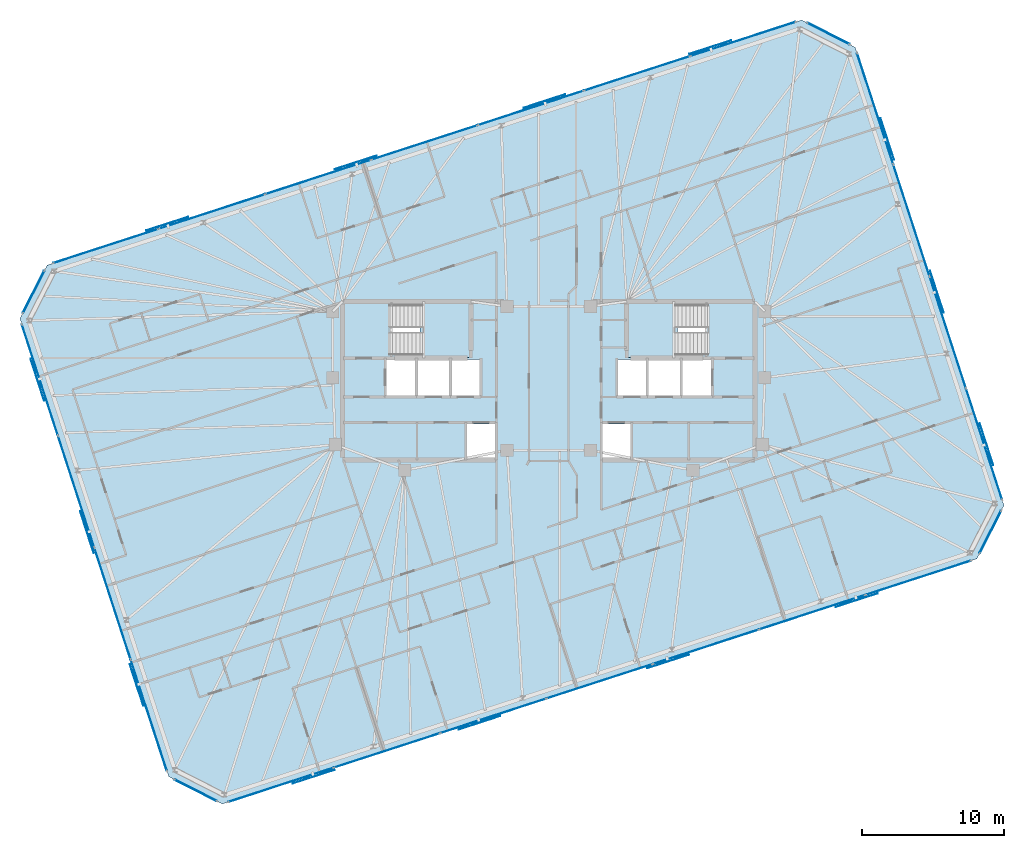
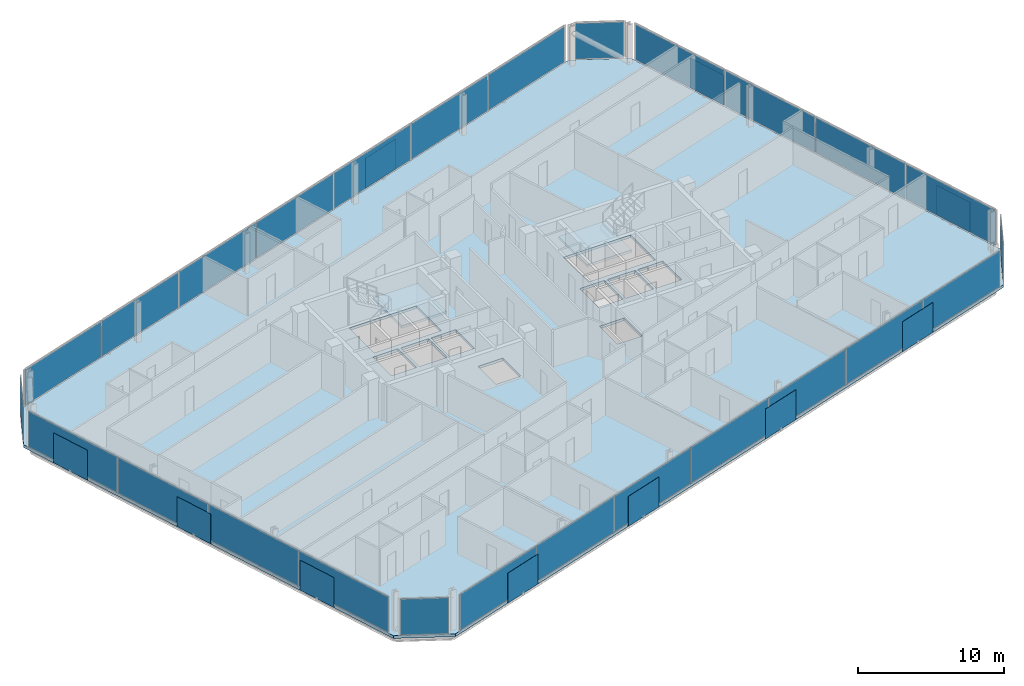
# One storey, part 12 of 19: 40 plates, 3 slabs, 10 elements without a shape of their own.
"""IFC4 building model written with IfcOpenShell, lengths in metres."""

import ifcopenshell
import ifcopenshell.guid

model = None  # the IFC model being written
_history = None  # IfcOwnerHistory: only IFC2X3 demands one
_inside = {}  # id of a spatial element -> (the spatial element, [elements in it])
_under = {}  # id of a project, library or spatial element -> (it, [spatial elements below it])
_declared = {}  # id of a project -> (the project, [libraries it declares])
_typed = {}  # id of a type object -> (the type object, [elements of that type])
_made_of = {}  # id of a material, layer set ... -> (it, [elements and type objects made of it])


def new_model(schema):
    """Start an empty IFC model of exactly this schema.

    Asked for "IFC4X3", IfcOpenShell would pick the latest addendum, in which some entities
    have other attributes; the version numbers below select the first issue.
    IFC2X3 requires an IfcOwnerHistory on every rooted entity: one is made here for all.
    """
    global model, _history
    if schema == "IFC4X3":
        model = ifcopenshell.file(schema_version=(4, 3, 0, 0))
    else:
        model = ifcopenshell.file(schema=schema)
    _inside.clear()
    _under.clear()
    _declared.clear()
    _typed.clear()
    _made_of.clear()
    _history = None
    if model.schema == "IFC2X3":
        org = make("IfcOrganization", Name="unknown")
        user = make(
            "IfcPersonAndOrganization",
            ThePerson=make("IfcPerson", FamilyName="unknown"),
            TheOrganization=org,
        )
        app = make(
            "IfcApplication",
            ApplicationDeveloper=org,
            Version="unknown",
            ApplicationFullName="unknown",
            ApplicationIdentifier="unknown",
        )
        _history = make(
            "IfcOwnerHistory",
            OwningUser=user,
            OwningApplication=app,
            ChangeAction="ADDED",
            CreationDate=0,
        )
    return model


def make(cls, **values):
    """One entity of the class cls with the attributes given. An attribute that is None is left unset."""
    return model.create_entity(
        cls, **{name: value for name, value in values.items() if value is not None}
    )


def rooted(cls, **values):
    """An entity with a GlobalId (a new one), such as an element, a storey or a relation."""
    return make(cls, GlobalId=ifcopenshell.guid.new(), OwnerHistory=_history, **values)


def si_unit(unit_type, name, prefix=None):
    """IfcSIUnit, for example si_unit("LENGTHUNIT", "METRE", prefix="MILLI")."""
    return make("IfcSIUnit", UnitType=unit_type, Prefix=prefix, Name=name)


def assignment(units):
    """IfcUnitAssignment: the units of a project."""
    return None if units is None else make("IfcUnitAssignment", Units=units)


def point(xyz):
    """IfcCartesianPoint."""
    return None if xyz is None else make("IfcCartesianPoint", Coordinates=xyz)


def direction(xyz):
    """IfcDirection."""
    return None if xyz is None else make("IfcDirection", DirectionRatios=xyz)


def frame(location, z_axis=None, x_axis=None):
    """IfcAxis2Placement3D, a coordinate frame: its origin and axes. An axis left out is left unset."""
    return make(
        "IfcAxis2Placement3D",
        Location=point(location),
        Axis=direction(z_axis),
        RefDirection=direction(x_axis),
    )


def frame_2d(location, x_axis=None):
    """IfcAxis2Placement2D, a coordinate frame in the plane: its origin and x axis."""
    return make(
        "IfcAxis2Placement2D", Location=point(location), RefDirection=direction(x_axis)
    )


def origin():
    """The frame at (0, 0, 0) with its axes left unset."""
    return frame((0.0, 0.0, 0.0))


def origin_2d():
    """The frame at (0, 0) in the plane with its x axis left unset."""
    return frame_2d((0.0, 0.0))


def place(relative_to, where):
    """IfcLocalPlacement: puts the frame where relative to a parent placement (None: the world)."""
    return make(
        "IfcLocalPlacement", PlacementRelTo=relative_to, RelativePlacement=where
    )


def context(
    kind, dimensions, precision=None, world=None, true_north=None, identifier=None
):
    """IfcGeometricRepresentationContext, for example the 3D "Model" context."""
    return make(
        "IfcGeometricRepresentationContext",
        ContextIdentifier=identifier,
        ContextType=kind,
        CoordinateSpaceDimension=dimensions,
        Precision=precision,
        WorldCoordinateSystem=world,
        TrueNorth=true_north,
    )


def subcontext(parent, identifier, kind, view, scale=None):
    """IfcGeometricRepresentationSubContext, for example "Body" below "Model"."""
    return make(
        "IfcGeometricRepresentationSubContext",
        ContextIdentifier=identifier,
        ContextType=kind,
        ParentContext=parent,
        TargetScale=scale,
        TargetView=view,
    )


def project(units=None, contexts=None):
    """IfcProject with its units and contexts."""
    return rooted(
        "IfcProject",
        Name="project",
        RepresentationContexts=contexts,
        UnitsInContext=assignment(units),
    )


def spatial(cls, under=None, at=None, **own):
    """A site, building, storey or space (cls), placed at a placement, below another one or the project."""
    s = rooted(cls, ObjectPlacement=at, **own)
    if under is not None:
        _under.setdefault(under.id(), (under, []))[1].append(s)
    return s


def polyline(points):
    """IfcPolyline through the points."""
    return make("IfcPolyline", Points=[point(p) for p in points])


def profile(cls, at=None, kind="AREA", **sizes):
    """A parametric profile (cls). Its sizes go by their IFC names, for example OverallWidth=200.0."""
    return make(cls, ProfileType=kind, Position=at, **sizes)


def rectangle(**sizes):
    """IfcRectangleProfileDef."""
    return profile("IfcRectangleProfileDef", **sizes)


def outline(outer, holes=None, kind="AREA"):
    """IfcArbitraryClosedProfileDef: a profile drawn as a closed curve; with holes, ...WithVoids."""
    if holes is None:
        return make("IfcArbitraryClosedProfileDef", ProfileType=kind, OuterCurve=outer)
    return make(
        "IfcArbitraryProfileDefWithVoids",
        ProfileType=kind,
        OuterCurve=outer,
        InnerCurves=holes,
    )


def extrude(swept, where, along, depth):
    """IfcExtrudedAreaSolid: the profile swept, set in the frame where, extruded along a direction by depth."""
    return make(
        "IfcExtrudedAreaSolid",
        SweptArea=swept,
        Position=where,
        ExtrudedDirection=direction(along),
        Depth=depth,
    )


def shape(context_of_items, identifier, shape_type, items):
    """IfcShapeRepresentation: the items that make up one representation, for example the "Body"."""
    return make(
        "IfcShapeRepresentation",
        ContextOfItems=context_of_items,
        RepresentationIdentifier=identifier,
        RepresentationType=shape_type,
        Items=items,
    )


def material(Name=None, Category=None):
    """IfcMaterial."""
    return make("IfcMaterial", Name=Name, Category=Category)


def layer(
    of_material, thickness, ventilated=None, Name=None, Category=None, Priority=None
):
    """IfcMaterialLayer: one layer of a wall or slab, of a material (None: an air gap)."""
    return make(
        "IfcMaterialLayer",
        Material=of_material,
        LayerThickness=thickness,
        IsVentilated=ventilated,
        Name=Name,
        Category=Category,
        Priority=Priority,
    )


def layer_set(layers, Name=None):
    """IfcMaterialLayerSet."""
    return make("IfcMaterialLayerSet", MaterialLayers=layers, LayerSetName=Name)


def made_of(thing, what):
    """Note that an element or type object is made of a material, layer set ...; save() writes the relation."""
    if what is not None:
        _made_of.setdefault(what.id(), (what, []))[1].append(thing)
    return thing


def type_object(cls, material=None, **own):
    """A type object (cls), such as IfcWallType, which elements share."""
    return made_of(rooted(cls, **own), material)


def element(
    cls,
    number,
    at=None,
    inside=None,
    cuts=None,
    type_object=None,
    material=None,
    context=None,
    identifier="Body",
    shape_type=None,
    held_by="IfcProductDefinitionShape",
    body=None,
    shapes=None,
    **own,
):
    """One element of the class cls, such as IfcWall. Its Tag is "e" and its number.

    at: its placement. inside: the storey or other place that contains it. cuts: it is an
    opening in that element (IfcRelVoidsElement). A single representation is given by context,
    identifier, shape_type and body (its items); several are given by shapes. held_by: the class
    of the entity that holds the representations. save() writes the other relations.
    """
    e = rooted(cls, Tag="e%d" % number, ObjectPlacement=at, **own)
    if body is not None:
        shapes = [shape(context, identifier, shape_type, body)]
    if shapes is not None:
        e.Representation = make(held_by, Representations=shapes)
    if inside is not None:
        _inside.setdefault(inside.id(), (inside, []))[1].append(e)
    if cuts is not None:
        rooted(
            "IfcRelVoidsElement", RelatingBuildingElement=cuts, RelatedOpeningElement=e
        )
    if type_object is not None:
        _typed.setdefault(type_object.id(), (type_object, []))[1].append(e)
    return made_of(e, material)


def aggregate(whole, parts):
    """IfcRelAggregates: a whole, such as a stair, and the parts it consists of."""
    return rooted("IfcRelAggregates", RelatingObject=whole, RelatedObjects=parts)


def save(model, path):
    """Write the relations noted so far, then the file.

    IfcRelAggregates (storeys below a building ...), IfcRelContainedInSpatialStructure (elements
    in a storey), IfcRelDefinesByType, IfcRelAssociatesMaterial and IfcRelDeclares: one each for
    every whole, place, type object, material and project.
    """
    for whole, parts in _under.values():
        aggregate(whole, parts)
    for where, things in _inside.values():
        rooted(
            "IfcRelContainedInSpatialStructure",
            RelatedElements=things,
            RelatingStructure=where,
        )
    for kind, things in _typed.values():
        rooted("IfcRelDefinesByType", RelatedObjects=things, RelatingType=kind)
    for what, things in _made_of.values():
        rooted("IfcRelAssociatesMaterial", RelatedObjects=things, RelatingMaterial=what)
    for by, libraries in _declared.values():
        rooted("IfcRelDeclares", RelatingContext=by, RelatedDefinitions=libraries)
    model.write(path)


model = new_model("IFC4")

# Units and contexts
model_context = context("Model", 3, precision=1e-05, world=origin(), true_north=direction((0.0, 1.0)))
body_context = subcontext(model_context, "Body", "Model", "MODEL_VIEW")
ifc_project = project(units=[si_unit("LENGTHUNIT", "METRE"), si_unit("AREAUNIT", "SQUARE_METRE"), si_unit("VOLUMEUNIT", "CUBIC_METRE"), si_unit("PLANEANGLEUNIT", "RADIAN"), si_unit("MASSUNIT", "GRAM", prefix="KILO")], contexts=[model_context])

# Site, building, storey
site_placement = place(None, origin())
site = spatial("IfcSite", under=ifc_project, at=site_placement, CompositionType="ELEMENT")
building_placement = place(site_placement, origin())
building = spatial("IfcBuilding", under=site, at=building_placement, Name="Menara Jurai Vektor", CompositionType="ELEMENT")
storey_placement = place(building_placement, frame((0.0, 0.0, 241.050048828125)))
storey = spatial("IfcBuildingStorey", under=building, at=storey_placement, Name="L64", CompositionType="ELEMENT", Elevation=241.050048828125)

# Curtain wall, plates
ifc_material_1 = material(Name="Anodised Pale Aluminium & Low-E Double Glazing", Category="aluminium")
curtain_wall_type = type_object("IfcCurtainWallType", Name="CW-BLK4", PredefinedType="NOTDEFINED", material=ifc_material_1)
curtain_wall_1_placement = place(storey_placement, origin())
curtain_wall_1 = element("IfcCurtainWall", 1, at=curtain_wall_1_placement, inside=storey, type_object=curtain_wall_type, Name="Unitised Curtain Wall L64 F01", PredefinedType="NOTDEFINED")
ifc_material_2 = material(Name="Low-E Solar-Control Double Glazed Unit", Category="glass")
ifc_layer_1 = layer(ifc_material_2, 0.030029296875)
ifc_layer_set_1 = layer_set([ifc_layer_1], Name="Low-E Solar-Control Double Glazed Unit")
plate_type_1 = type_object("IfcPlateType", Name="CW-BLK4-PNL", PredefinedType="CURTAIN_PANEL", material=ifc_layer_set_1)
plate_1_placement = place(storey_placement, frame((-18.916259765625, -28.53076171875, 0.080078125), z_axis=(0.0, 0.0, 1.0), x_axis=(0.951056402641, 0.309017344167, 0.0)))
plate_1 = element("IfcPlate", 2, at=plate_1_placement, type_object=plate_type_1, Name="CW-04 panel 1.1", PredefinedType="CURTAIN_PANEL", context=body_context, shape_type="SweptSolid", body=[
    extrude(rectangle(XDim=7.771484375, YDim=0.030029296875, at=origin_2d()), origin(), (0.0, 0.0, 1.0), 2.965087890625),
])
plate_2_placement = place(storey_placement, frame((-11.429931640625, -26.098388671875, 0.080078125), z_axis=(0.0, 0.0, 1.0), x_axis=(0.951056402641, 0.309017344167, 0.0)))
plate_2 = element("IfcPlate", 3, at=plate_2_placement, type_object=plate_type_1, Name="CW-04 panel 2.1", PredefinedType="CURTAIN_PANEL", context=body_context, shape_type="SweptSolid", body=[
    extrude(rectangle(XDim=7.8115234375, YDim=0.030029296875, at=origin_2d()), origin(), (0.0, 0.0, 1.0), 2.965087890625),
])
plate_3_placement = place(storey_placement, frame((-3.9248046875, -23.65966796875, 0.080078125), z_axis=(0.0, 0.0, 1.0), x_axis=(0.951056402641, 0.309017344167, 0.0)))
plate_3 = element("IfcPlate", 4, at=plate_3_placement, type_object=plate_type_1, Name="CW-04 panel 3.1", PredefinedType="CURTAIN_PANEL", context=body_context, shape_type="SweptSolid", body=[
    extrude(rectangle(XDim=7.8115234375, YDim=0.030029296875, at=origin_2d()), origin(), (0.0, 0.0, 1.0), 2.965087890625),
])
plate_4_placement = place(storey_placement, frame((3.580322265625, -21.22119140625, 0.080078125), z_axis=(0.0, 0.0, 1.0), x_axis=(0.951056402641, 0.309017344167, 0.0)))
plate_4 = element("IfcPlate", 5, at=plate_4_placement, type_object=plate_type_1, Name="CW-04 panel 4.1", PredefinedType="CURTAIN_PANEL", context=body_context, shape_type="SweptSolid", body=[
    extrude(rectangle(XDim=7.8115234375, YDim=0.030029296875, at=origin_2d()), origin(), (0.0, 0.0, 1.0), 2.965087890625),
])
plate_5_placement = place(storey_placement, frame((11.08544921875, -18.782470703125, 0.080078125), z_axis=(0.0, 0.0, 1.0), x_axis=(0.951056402641, 0.309017344167, 0.0)))
plate_5 = element("IfcPlate", 6, at=plate_5_placement, type_object=plate_type_1, Name="CW-04 panel 5.1", PredefinedType="CURTAIN_PANEL", context=body_context, shape_type="SweptSolid", body=[
    extrude(rectangle(XDim=7.8115234375, YDim=0.030029296875, at=origin_2d()), origin(), (0.0, 0.0, 1.0), 2.965087890625),
])
plate_6_placement = place(storey_placement, frame((18.5908203125, -16.343994140625, 0.080078125), z_axis=(0.0, 0.0, 1.0), x_axis=(0.951056402641, 0.309017344167, 0.0)))
plate_6 = element("IfcPlate", 7, at=plate_6_placement, type_object=plate_type_1, Name="CW-04 panel 6.1", PredefinedType="CURTAIN_PANEL", context=body_context, shape_type="SweptSolid", body=[
    extrude(rectangle(XDim=7.8115234375, YDim=0.030029296875, at=origin_2d()), origin(), (0.0, 0.0, 1.0), 2.965087890625),
])
plate_7_placement = place(storey_placement, frame((26.076904296875, -13.91162109375, 0.080078125), z_axis=(0.0, 0.0, 1.0), x_axis=(0.951056402641, 0.309017344167, 0.0)))
plate_7 = element("IfcPlate", 8, at=plate_7_placement, type_object=plate_type_1, Name="CW-04 panel 7.1", PredefinedType="CURTAIN_PANEL", context=body_context, shape_type="SweptSolid", body=[
    extrude(rectangle(XDim=7.771484375, YDim=0.030029296875, at=origin_2d()), origin(), (0.0, 0.0, 1.0), 2.965087890625),
])
aggregate(curtain_wall_1, [plate_1, plate_2, plate_3, plate_4, plate_5, plate_6, plate_7])

curtain_wall_2_placement = place(storey_placement, origin())
curtain_wall_2 = element("IfcCurtainWall", 9, at=curtain_wall_2_placement, inside=storey, type_object=curtain_wall_type, Name="Unitised Curtain Wall L64 F03", PredefinedType="NOTDEFINED")
plate_8_placement = place(storey_placement, frame((30.728515625, -4.456298828125, 0.080078125), z_axis=(0.0, 0.0, 1.0), x_axis=(-0.309016481464, 0.95105668295, 0.0)))
plate_8 = element("IfcPlate", 10, at=plate_8_placement, type_object=plate_type_1, Name="CW-04 panel 1.1", PredefinedType="CURTAIN_PANEL", context=body_context, shape_type="SweptSolid", body=[
    extrude(rectangle(XDim=8.18994140625, YDim=0.030029296875, at=origin_2d()), origin(), (0.0, 0.0, 1.0), 2.965087890625),
])
plate_9_placement = place(storey_placement, frame((28.166748046875, 3.427978515625, 0.080078125), z_axis=(0.0, 0.0, 1.0), x_axis=(-0.309016481464, 0.95105668295, 0.0)))
plate_9 = element("IfcPlate", 11, at=plate_9_placement, type_object=plate_type_1, Name="CW-04 panel 2.1", PredefinedType="CURTAIN_PANEL", context=body_context, shape_type="SweptSolid", body=[
    extrude(rectangle(XDim=8.22998046875, YDim=0.030029296875, at=origin_2d()), origin(), (0.0, 0.0, 1.0), 2.965087890625),
])
plate_10_placement = place(storey_placement, frame((25.598876953125, 11.331298828125, 0.080078125), z_axis=(0.0, 0.0, 1.0), x_axis=(-0.309016481464, 0.95105668295, 0.0)))
plate_10 = element("IfcPlate", 12, at=plate_10_placement, type_object=plate_type_1, Name="CW-04 panel 3.1", PredefinedType="CURTAIN_PANEL", context=body_context, shape_type="SweptSolid", body=[
    extrude(rectangle(XDim=8.22998046875, YDim=0.030029296875, at=origin_2d()), origin(), (0.0, 0.0, 1.0), 2.965087890625),
])
plate_11_placement = place(storey_placement, frame((23.037109375, 19.21533203125, 0.080078125), z_axis=(0.0, 0.0, 1.0), x_axis=(-0.309016481464, 0.95105668295, 0.0)))
plate_11 = element("IfcPlate", 13, at=plate_11_placement, type_object=plate_type_1, Name="CW-04 panel 4.1", PredefinedType="CURTAIN_PANEL", context=body_context, shape_type="SweptSolid", body=[
    extrude(rectangle(XDim=8.18994140625, YDim=0.030029296875, at=origin_2d()), origin(), (0.0, 0.0, 1.0), 2.965087890625),
])
aggregate(curtain_wall_2, [plate_8, plate_9, plate_10, plate_11])

curtain_wall_3_placement = place(storey_placement, origin())
curtain_wall_3 = element("IfcCurtainWall", 14, at=curtain_wall_3_placement, inside=storey, type_object=curtain_wall_type, Name="Unitised Curtain Wall L64 F05", PredefinedType="NOTDEFINED")
plate_12_placement = place(storey_placement, frame((13.716064453125, 24.130615234375, 0.080078125), z_axis=(0.0, 0.0, 1.0), x_axis=(-0.951056402641, -0.309017344167, 0.0)))
plate_12 = element("IfcPlate", 15, at=plate_12_placement, type_object=plate_type_1, Name="CW-04 panel 1.1", PredefinedType="CURTAIN_PANEL", context=body_context, shape_type="SweptSolid", body=[
    extrude(rectangle(XDim=7.771484375, YDim=0.030029296875, at=origin_2d()), origin(), (0.0, 0.0, 1.0), 2.965087890625),
])
plate_13_placement = place(storey_placement, frame((6.22998046875, 21.6982421875, 0.080078125), z_axis=(0.0, 0.0, 1.0), x_axis=(-0.951056402641, -0.309017344167, 0.0)))
plate_13 = element("IfcPlate", 16, at=plate_13_placement, type_object=plate_type_1, Name="CW-04 panel 2.1", PredefinedType="CURTAIN_PANEL", context=body_context, shape_type="SweptSolid", body=[
    extrude(rectangle(XDim=7.8115234375, YDim=0.030029296875, at=origin_2d()), origin(), (0.0, 0.0, 1.0), 2.965087890625),
])
plate_14_placement = place(storey_placement, frame((-1.275146484375, 19.259765625, 0.080078125), z_axis=(0.0, 0.0, 1.0), x_axis=(-0.951056402641, -0.309017344167, 0.0)))
plate_14 = element("IfcPlate", 17, at=plate_14_placement, type_object=plate_type_1, Name="CW-04 panel 3.1", PredefinedType="CURTAIN_PANEL", context=body_context, shape_type="SweptSolid", body=[
    extrude(rectangle(XDim=7.8115234375, YDim=0.030029296875, at=origin_2d()), origin(), (0.0, 0.0, 1.0), 2.965087890625),
])
plate_15_placement = place(storey_placement, frame((-8.7802734375, 16.821044921875, 0.080078125), z_axis=(0.0, 0.0, 1.0), x_axis=(-0.951056402641, -0.309017344167, 0.0)))
plate_15 = element("IfcPlate", 18, at=plate_15_placement, type_object=plate_type_1, Name="CW-04 panel 4.1", PredefinedType="CURTAIN_PANEL", context=body_context, shape_type="SweptSolid", body=[
    extrude(rectangle(XDim=7.8115234375, YDim=0.030029296875, at=origin_2d()), origin(), (0.0, 0.0, 1.0), 2.965087890625),
])
plate_16_placement = place(storey_placement, frame((-16.28564453125, 14.382568359375, 0.080078125), z_axis=(0.0, 0.0, 1.0), x_axis=(-0.951056402641, -0.309017344167, 0.0)))
plate_16 = element("IfcPlate", 19, at=plate_16_placement, type_object=plate_type_1, Name="CW-04 panel 5.1", PredefinedType="CURTAIN_PANEL", context=body_context, shape_type="SweptSolid", body=[
    extrude(rectangle(XDim=7.8115234375, YDim=0.030029296875, at=origin_2d()), origin(), (0.0, 0.0, 1.0), 2.965087890625),
])
plate_17_placement = place(storey_placement, frame((-23.790771484375, 11.944091796875, 0.080078125), z_axis=(0.0, 0.0, 1.0), x_axis=(-0.951056402641, -0.309017344167, 0.0)))
plate_17 = element("IfcPlate", 20, at=plate_17_placement, type_object=plate_type_1, Name="CW-04 panel 6.1", PredefinedType="CURTAIN_PANEL", context=body_context, shape_type="SweptSolid", body=[
    extrude(rectangle(XDim=7.8115234375, YDim=0.030029296875, at=origin_2d()), origin(), (0.0, 0.0, 1.0), 2.965087890625),
])
plate_18_placement = place(storey_placement, frame((-31.27685546875, 9.511474609375, 0.080078125), z_axis=(0.0, 0.0, 1.0), x_axis=(-0.951056402641, -0.309017344167, 0.0)))
plate_18 = element("IfcPlate", 21, at=plate_18_placement, type_object=plate_type_1, Name="CW-04 panel 7.1", PredefinedType="CURTAIN_PANEL", context=body_context, shape_type="SweptSolid", body=[
    extrude(rectangle(XDim=7.771484375, YDim=0.030029296875, at=origin_2d()), origin(), (0.0, 0.0, 1.0), 2.965087890625),
])
aggregate(curtain_wall_3, [plate_12, plate_13, plate_14, plate_15, plate_16, plate_17, plate_18])

curtain_wall_4_placement = place(storey_placement, origin())
curtain_wall_4 = element("IfcCurtainWall", 22, at=curtain_wall_4_placement, inside=storey, type_object=curtain_wall_type, Name="Unitised Curtain Wall L64 F07", PredefinedType="NOTDEFINED")
plate_19_placement = place(storey_placement, frame((-35.928466796875, 0.056396484375, 0.080078125), z_axis=(0.0, 0.0, 1.0), x_axis=(0.309016481464, -0.95105668295, 0.0)))
plate_19 = element("IfcPlate", 23, at=plate_19_placement, type_object=plate_type_1, Name="CW-04 panel 1.1", PredefinedType="CURTAIN_PANEL", context=body_context, shape_type="SweptSolid", body=[
    extrude(rectangle(XDim=8.18994140625, YDim=0.030029296875, at=origin_2d()), origin(), (0.0, 0.0, 1.0), 2.965087890625),
])
plate_20_placement = place(storey_placement, frame((-33.36669921875, -7.827880859375, 0.080078125), z_axis=(0.0, 0.0, 1.0), x_axis=(0.309016481464, -0.95105668295, 0.0)))
plate_20 = element("IfcPlate", 24, at=plate_20_placement, type_object=plate_type_1, Name="CW-04 panel 2.1", PredefinedType="CURTAIN_PANEL", context=body_context, shape_type="SweptSolid", body=[
    extrude(rectangle(XDim=8.22998046875, YDim=0.030029296875, at=origin_2d()), origin(), (0.0, 0.0, 1.0), 2.965087890625),
])
plate_21_placement = place(storey_placement, frame((-30.798828125, -15.731201171875, 0.080078125), z_axis=(0.0, 0.0, 1.0), x_axis=(0.309016481464, -0.95105668295, 0.0)))
plate_21 = element("IfcPlate", 25, at=plate_21_placement, type_object=plate_type_1, Name="CW-04 panel 3.1", PredefinedType="CURTAIN_PANEL", context=body_context, shape_type="SweptSolid", body=[
    extrude(rectangle(XDim=8.22998046875, YDim=0.030029296875, at=origin_2d()), origin(), (0.0, 0.0, 1.0), 2.965087890625),
])
plate_22_placement = place(storey_placement, frame((-28.237060546875, -23.615478515625, 0.080078125), z_axis=(0.0, 0.0, 1.0), x_axis=(0.309016481464, -0.95105668295, 0.0)))
plate_22 = element("IfcPlate", 26, at=plate_22_placement, type_object=plate_type_1, Name="CW-04 panel 4.1", PredefinedType="CURTAIN_PANEL", context=body_context, shape_type="SweptSolid", body=[
    extrude(rectangle(XDim=8.18994140625, YDim=0.030029296875, at=origin_2d()), origin(), (0.0, 0.0, 1.0), 2.965087890625),
])
aggregate(curtain_wall_4, [plate_19, plate_20, plate_21, plate_22])

# Curtain wall, plate
curtain_wall_5_placement = place(storey_placement, origin())
curtain_wall_5 = element("IfcCurtainWall", 27, at=curtain_wall_5_placement, inside=storey, type_object=curtain_wall_type, Name="Unitised Curtain Wall L64 F02", PredefinedType="NOTDEFINED")
ifc_material_3 = material(Name="Insulated Pale Aluminium Spandrel Panel", Category="aluminium")
ifc_layer_2 = layer(ifc_material_3, 0.06005859375)
ifc_layer_set_2 = layer_set([ifc_layer_2], Name="Insulated Pale Aluminium Spandrel Panel")
plate_type_2 = type_object("IfcPlateType", Name="CW-PNL-SP", PredefinedType="CURTAIN_PANEL", material=ifc_layer_set_2)
plate_23_placement = place(storey_placement, frame((31.1728515625, -10.678466796875, 0.080078125), z_axis=(0.0, 0.0, 1.0), x_axis=(0.453988579828, 0.89100750243, 0.0)))
plate_23 = element("IfcPlate", 28, at=plate_23_placement, type_object=plate_type_2, Name="CW-04 panel 1.1", PredefinedType="CURTAIN_PANEL", context=body_context, shape_type="SweptSolid", body=[
    extrude(rectangle(XDim=3.32275390625, YDim=0.06005859375, at=origin_2d()), origin(), (0.0, 0.0, 1.0), 2.965087890625),
])
aggregate(curtain_wall_5, [plate_23])

curtain_wall_6_placement = place(storey_placement, origin())
curtain_wall_6 = element("IfcCurtainWall", 29, at=curtain_wall_6_placement, inside=storey, type_object=curtain_wall_type, Name="Unitised Curtain Wall L64 F04", PredefinedType="NOTDEFINED")
plate_24_placement = place(storey_placement, frame((19.7392578125, 24.510498046875, 0.080078125), z_axis=(0.0, 0.0, 1.0), x_axis=(-0.89100750243, 0.453988579828, 0.0)))
plate_24 = element("IfcPlate", 30, at=plate_24_placement, type_object=plate_type_2, Name="CW-04 panel 1.1", PredefinedType="CURTAIN_PANEL", context=body_context, shape_type="SweptSolid", body=[
    extrude(rectangle(XDim=3.32275390625, YDim=0.06005859375, at=origin_2d()), origin(), (0.0, 0.0, 1.0), 2.965087890625),
])
aggregate(curtain_wall_6, [plate_24])

curtain_wall_7_placement = place(storey_placement, origin())
curtain_wall_7 = element("IfcCurtainWall", 31, at=curtain_wall_7_placement, inside=storey, type_object=curtain_wall_type, Name="Unitised Curtain Wall L64 F06", PredefinedType="NOTDEFINED")
plate_25_placement = place(storey_placement, frame((-36.373046875, 6.278564453125, 0.080078125), z_axis=(0.0, 0.0, 1.0), x_axis=(-0.453988579828, -0.89100750243, 0.0)))
plate_25 = element("IfcPlate", 32, at=plate_25_placement, type_object=plate_type_2, Name="CW-04 panel 1.1", PredefinedType="CURTAIN_PANEL", context=body_context, shape_type="SweptSolid", body=[
    extrude(rectangle(XDim=3.32275390625, YDim=0.06005859375, at=origin_2d()), origin(), (0.0, 0.0, 1.0), 2.965087890625),
])
aggregate(curtain_wall_7, [plate_25])

curtain_wall_8_placement = place(storey_placement, origin())
curtain_wall_8 = element("IfcCurtainWall", 33, at=curtain_wall_8_placement, inside=storey, type_object=curtain_wall_type, Name="Unitised Curtain Wall L64 F08", PredefinedType="NOTDEFINED")
plate_26_placement = place(storey_placement, frame((-24.939453125, -28.91064453125, 0.080078125), z_axis=(0.0, 0.0, 1.0), x_axis=(0.89100750243, -0.453988579828, 0.0)))
plate_26 = element("IfcPlate", 34, at=plate_26_placement, type_object=plate_type_2, Name="CW-04 panel 1.1", PredefinedType="CURTAIN_PANEL", context=body_context, shape_type="SweptSolid", body=[
    extrude(rectangle(XDim=3.32275390625, YDim=0.06005859375, at=origin_2d()), origin(), (0.0, 0.0, 1.0), 2.965087890625),
])
aggregate(curtain_wall_8, [plate_26])

# Plates
ifc_material_4 = material(Name="Anodised Pale Aluminium Perforated Screen", Category="aluminium")
ifc_layer_3 = layer(ifc_material_4, 0.02197265625)
ifc_layer_set_3 = layer_set([ifc_layer_3], Name="Anodised Pale Aluminium Perforated Screen")
plate_type_3 = type_object("IfcPlateType", Name="ENV-PLT-SCREEN-HI", PredefinedType="USERDEFINED", material=ifc_layer_set_3)
for number, where, z_axis, x_axis, name in (
    (35, (-16.608642578125, -27.94921875, -0.050048828125), (0.0, 0.0, 1.0), (0.951056516295, 0.309016994375, 0.0), "Perforated Pale-Metal Solar Screen L64-S01"),
    (36, (-4.8916015625, -24.14208984375, -0.050048828125), (0.0, 0.0, 1.0), (0.951056516295, 0.309016994375, 0.0), "Perforated Pale-Metal Solar Screen L64-S02"),
    (37, (8.423095703125, -19.81591796875, -0.050048828125), (0.0, 0.0, 1.0), (0.951056516295, 0.309016994375, 0.0), "Perforated Pale-Metal Solar Screen L64-S03"),
    (38, (21.73779296875, -15.48974609375, -0.050048828125), (0.0, 0.0, 1.0), (0.951056516295, 0.309016994375, 0.0), "Perforated Pale-Metal Solar Screen L64-S04"),
    (39, (30.90478515625, -4.4814453125, -0.050048828125), (0.0, 0.0, 1.0), (-0.309016994375, 0.951056516295, 0.0), "Perforated Pale-Metal Solar Screen L64-S05"),
    (40, (27.402587890625, 6.297119140625, -0.050048828125), (0.0, 0.0, 1.0), (-0.309016994375, 0.951056516295, 0.0), "Perforated Pale-Metal Solar Screen L64-S06"),
    (41, (23.900390625, 17.075927734375, -0.050048828125), (0.0, 0.0, 1.0), (-0.309016994375, 0.951056516295, 0.0), "Perforated Pale-Metal Solar Screen L64-S07"),
    (42, (11.40869140625, 23.54931640625, -0.050048828125), (0.0, 0.0, 1.0), (-0.951056516295, -0.309016994375, 0.0), "Perforated Pale-Metal Solar Screen L64-S08"),
    (43, (-0.308349609375, 19.7421875, -0.050048828125), (0.0, 0.0, 1.0), (-0.951056516295, -0.309016994375, 0.0), "Perforated Pale-Metal Solar Screen L64-S09"),
    (44, (-13.623046875, 15.416015625, -0.050048828125), (0.0, 0.0, 1.0), (-0.951056516295, -0.309016994375, 0.0), "Perforated Pale-Metal Solar Screen L64-S10"),
    (45, (-26.93798828125, 11.089599609375, -0.050048828125), (0.0, 0.0, 1.0), (-0.951056516295, -0.309016994375, 0.0), "Perforated Pale-Metal Solar Screen L64-S11"),
    (46, (-36.104736328125, 0.081298828125, -0.050048828125), (0.0, 0.0, 1.0), (0.309016994375, -0.951056516295, 0.0), "Perforated Pale-Metal Solar Screen L64-S12"),
    (47, (-32.6025390625, -10.697265625, -0.050048828125), (0.0, 0.0, 1.0), (0.309016994375, -0.951056516295, 0.0), "Perforated Pale-Metal Solar Screen L64-S13"),
    (48, (-29.1005859375, -21.475830078125, -0.050048828125), (0.0, 0.0, 1.0), (0.309016994375, -0.951056516295, 0.0), "Perforated Pale-Metal Solar Screen L64-S14"),
):
    element("IfcPlate", number, at=place(storey_placement, frame(where, z_axis=z_axis, x_axis=x_axis)), inside=storey, type_object=plate_type_3, Name=name, ObjectType="SCREEN", PredefinedType="USERDEFINED", context=body_context, shape_type="SweptSolid", body=[
        extrude(rectangle(XDim=3.10009765625, YDim=0.02197265625, at=origin_2d()), origin(), (0.0, 0.0, 1.0), 2.5),
    ])

# Stair, slab
ifc_material_5 = material(Name="Concrete C40/50", Category="concrete")
stair_type = type_object("IfcStairType", Name="STAIR-DOGLEG-1500", PredefinedType="HALF_TURN_STAIR", material=ifc_material_5)
stair_1_placement = place(storey_placement, origin())
stair_1 = element("IfcStair", 49, at=stair_1_placement, inside=storey, type_object=stair_type, Name="Protected Exit Stair ST1 L64", PredefinedType="HALF_TURN_STAIR")
ifc_layer_4 = layer(ifc_material_5, 0.199951171875)
ifc_layer_set_4 = layer_set([ifc_layer_4], Name="Concrete C40/50")
slab_type_1 = type_object("IfcSlabType", Name="STAIR-LANDING-200", PredefinedType="LANDING", material=ifc_layer_set_4)
slab_1_placement = place(storey_placement, frame((0.0, 0.0, 1.474853515625)))
slab_1 = element("IfcSlab", 50, at=slab_1_placement, type_object=slab_type_1, Name="ST1 landing 1", PredefinedType="LANDING", context=body_context, shape_type="SweptSolid", body=[
    extrude(outline(polyline([(-9.080078125, 1.64990234375), (-5.550048828125, 1.64990234375), (-5.550048828125, 5.550048828125), (-9.080078125, 5.550048828125), (-9.080078125, 1.64990234375)])), origin(), (0.0, 0.0, 1.0), 0.2001953125),
])
aggregate(stair_1, [slab_1])

stair_2_placement = place(storey_placement, origin())
stair_2 = element("IfcStair", 51, at=stair_2_placement, inside=storey, type_object=stair_type, Name="Protected Exit Stair ST2 L64", PredefinedType="HALF_TURN_STAIR")
slab_2_placement = place(storey_placement, frame((0.0, 0.0, 1.474853515625)))
slab_2 = element("IfcSlab", 52, at=slab_2_placement, type_object=slab_type_1, Name="ST2 landing 1", PredefinedType="LANDING", context=body_context, shape_type="SweptSolid", body=[
    extrude(outline(polyline([(5.550048828125, 1.64990234375), (9.080078125, 1.64990234375), (9.080078125, 5.550048828125), (5.550048828125, 5.550048828125), (5.550048828125, 1.64990234375)])), origin(), (0.0, 0.0, 1.0), 0.2001953125),
])
aggregate(stair_2, [slab_2])

# Slab
ifc_layer_5 = layer(ifc_material_5, 0.22509765625)
ifc_layer_set_5 = layer_set([ifc_layer_5], Name="Concrete C40/50")
slab_type_2 = type_object("IfcSlabType", Name="STR-SLAB-TYP200", PredefinedType="FLOOR", material=ifc_layer_set_5)
slab_3_placement = place(storey_placement, frame((0.0, 0.0, -0.22509765625)))
element("IfcSlab", 53, at=slab_3_placement, inside=storey, type_object=slab_type_2, Name="Composite Floor Slab L64", PredefinedType="FLOOR", context=body_context, shape_type="SweptSolid", body=[
    extrude(outline(polyline([(-23.04931640625, -29.87353515625), (30.2099609375, -12.568603515625), (32.135986328125, -8.788330078125), (21.62939453125, 23.547607421875), (17.84912109375, 25.4736328125), (-35.409912109375, 8.168701171875), (-37.3359375, 4.388427734375), (-26.82958984375, -27.947509765625), (-23.04931640625, -29.87353515625)]), holes=[polyline([(-11.10009765625, 1.89990234375), (-11.10009765625, 5.300048828125), (-5.800048828125, 5.300048828125), (-5.800048828125, 1.89990234375), (-11.10009765625, 1.89990234375)]), polyline([(5.800048828125, 1.89990234375), (5.800048828125, 5.300048828125), (11.10009765625, 5.300048828125), (11.10009765625, 1.89990234375), (5.800048828125, 1.89990234375)]), polyline([(-11.449951171875, -1.050048828125), (-11.449951171875, 1.5), (-9.449951171875, 1.5), (-9.449951171875, -1.050048828125), (-11.449951171875, -1.050048828125)]), polyline([(9.449951171875, -1.050048828125), (9.449951171875, 1.5), (11.449951171875, 1.5), (11.449951171875, -1.050048828125), (9.449951171875, -1.050048828125)]), polyline([(-5.760009765625, -5.5), (-5.760009765625, -3.050048828125), (-3.800048828125, -3.050048828125), (-3.800048828125, -5.5), (-5.760009765625, -5.5)]), polyline([(-6.85009765625, -1.050048828125), (-6.85009765625, 1.5), (-4.889892578125, 1.5), (-4.889892578125, -1.050048828125), (-6.85009765625, -1.050048828125)]), polyline([(3.800048828125, -5.5), (3.800048828125, -3.050048828125), (5.760009765625, -3.050048828125), (5.760009765625, -5.5), (3.800048828125, -5.5)]), polyline([(4.889892578125, -1.050048828125), (4.889892578125, 1.5), (6.85009765625, 1.5), (6.85009765625, -1.050048828125), (4.889892578125, -1.050048828125)]), polyline([(-9.25, -1.050048828125), (-9.25, 1.5), (-7.050048828125, 1.5), (-7.050048828125, -1.050048828125), (-9.25, -1.050048828125)]), polyline([(7.050048828125, -1.050048828125), (7.050048828125, 1.5), (9.25, 1.5), (9.25, -1.050048828125), (7.050048828125, -1.050048828125)])]), origin(), (0.0, 0.0, 1.0), 0.22509765625),
])

save(model, "model.ifc")
